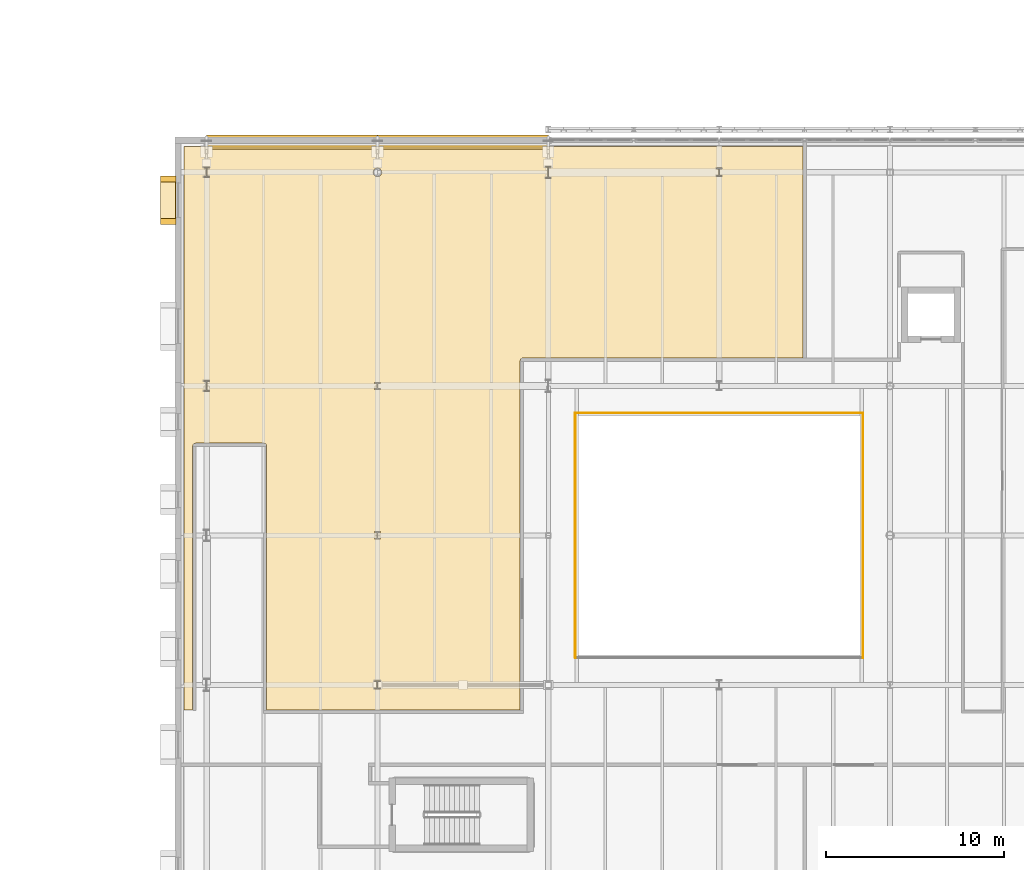
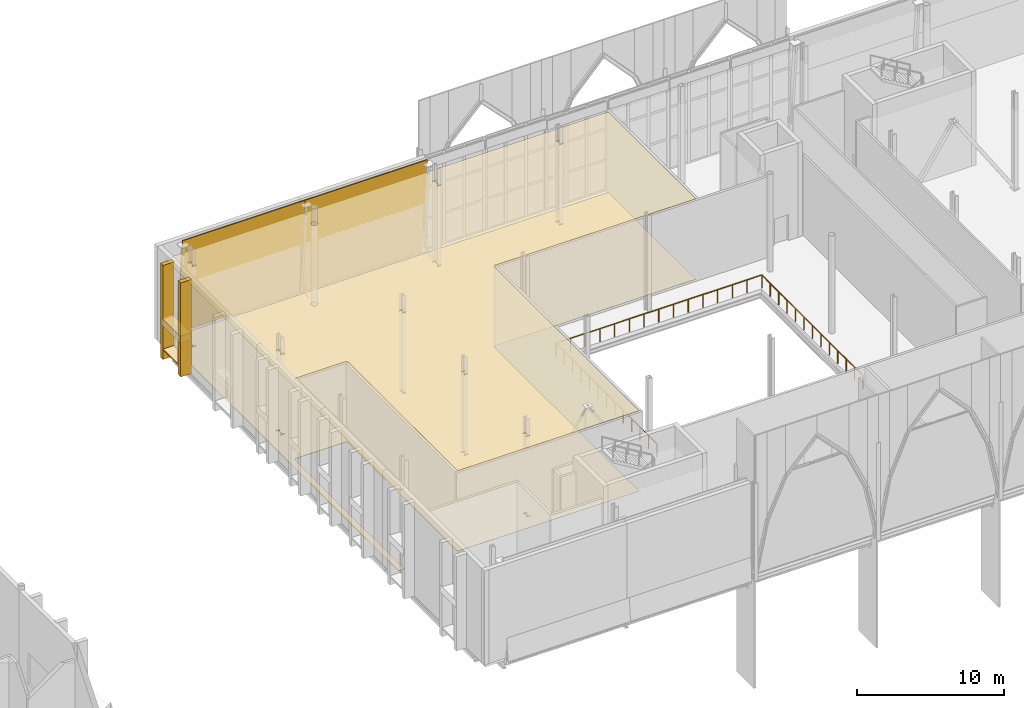
# One storey, part 71 of 79: 8 coverings, 3 railings.
"""IFC4 building model written with IfcOpenShell, lengths in metres."""

from ifc_helpers import new_model, si_unit, direction, frame, origin, origin_2d, place, context, subcontext, project, spatial, polyline, rectangle, circle, outline, extrude, material, layer, layer_set, type_object, element, save


model = new_model("IFC4")

# Units and contexts
model_context = context("Model", 3, precision=1e-05, world=origin(), true_north=direction((0.0, 1.0)))
body_context = subcontext(model_context, "Body", "Model", "MODEL_VIEW")
ifc_project = project(units=[si_unit("LENGTHUNIT", "METRE"), si_unit("AREAUNIT", "SQUARE_METRE"), si_unit("VOLUMEUNIT", "CUBIC_METRE"), si_unit("PLANEANGLEUNIT", "RADIAN"), si_unit("MASSUNIT", "GRAM", prefix="KILO")], contexts=[model_context])

# Site, building, storey
site_placement = place(None, origin())
site = spatial("IfcSite", under=ifc_project, at=site_placement, CompositionType="ELEMENT")
building_placement = place(site_placement, origin())
building = spatial("IfcBuilding", under=site, at=building_placement, Name="Zereglee Splitstone Museum", CompositionType="ELEMENT")
storey_placement = place(building_placement, frame((0.0, 0.0, 9.0)))
storey = spatial("IfcBuildingStorey", under=building, at=storey_placement, Name="L02", CompositionType="ELEMENT", Elevation=9.0)

# Coverings
ifc_material_1 = material(Name="Siberian larch acoustic timber ceiling", Category="wood")
ifc_layer_1 = layer(ifc_material_1, 0.06005859375)
ifc_layer_set_1 = layer_set([ifc_layer_1], Name="Siberian larch acoustic timber ceiling")
covering_type_1 = type_object("IfcCoveringType", Name="CLG-01", PredefinedType="CEILING", material=ifc_layer_set_1)
covering_1_placement = place(storey_placement, frame((0.0, 0.0, 6.639892578125)))
element("IfcCovering", 1, at=covering_1_placement, inside=storey, type_object=covering_type_1, Name="Acoustic Ceiling L02-039", PredefinedType="CEILING", context=body_context, shape_type="SweptSolid", body=[
    extrude(outline(polyline([(81.3798828125, 35.0), (81.3798828125, 35.0009765625), (81.379150390625, 35.0166015625), (81.37890625, 35.0185546875), (81.376708984375, 35.0341796875), (81.376220703125, 35.0361328125), (81.37255859375, 35.05126953125), (81.371826171875, 35.05322265625), (81.36669921875, 35.068115234375), (81.365966796875, 35.06982421875), (81.359130859375, 35.083984375), (81.3583984375, 35.085693359375), (81.35009765625, 35.09912109375), (81.34912109375, 35.100830078125), (81.339599609375, 35.11328125), (81.33837890625, 35.114990234375), (81.327880859375, 35.126708984375), (81.32666015625, 35.1279296875), (81.31494140625, 35.138427734375), (81.3134765625, 35.1396484375), (81.30078125, 35.149169921875), (81.29931640625, 35.150146484375), (81.28564453125, 35.158203125), (81.283935546875, 35.1591796875), (81.269775390625, 35.166015625), (81.26806640625, 35.166748046875), (81.253173828125, 35.171875), (81.251220703125, 35.172607421875), (81.236083984375, 35.17626953125), (81.234130859375, 35.1767578125), (81.218505859375, 35.178955078125), (81.216796875, 35.17919921875), (81.200927734375, 35.179931640625), (81.199951171875, 35.179931640625), (77.39990234375, 35.179931640625), (77.39892578125, 35.179931640625), (77.38330078125, 35.17919921875), (77.38134765625, 35.178955078125), (77.365966796875, 35.1767578125), (77.364013671875, 35.17626953125), (77.3486328125, 35.172607421875), (77.3466796875, 35.171875), (77.33203125, 35.166748046875), (77.330078125, 35.166015625), (77.31591796875, 35.1591796875), (77.314208984375, 35.158203125), (77.30078125, 35.150146484375), (77.29931640625, 35.149169921875), (77.28662109375, 35.1396484375), (77.28515625, 35.138427734375), (77.2734375, 35.1279296875), (77.27197265625, 35.126708984375), (77.261474609375, 35.114990234375), (77.26025390625, 35.11328125), (77.2509765625, 35.100830078125), (77.249755859375, 35.09912109375), (77.24169921875, 35.085693359375), (77.24072265625, 35.083984375), (77.234130859375, 35.06982421875), (77.2333984375, 35.068115234375), (77.22802734375, 35.05322265625), (77.2275390625, 35.05126953125), (77.2236328125, 35.0361328125), (77.223388671875, 35.0341796875), (77.220947265625, 35.0185546875), (77.220703125, 35.0166015625), (77.219970703125, 35.0009765625), (77.219970703125, 35.0), (77.219970703125, 20.179931640625), (76.739990234375, 20.179931640625), (76.739990234375, 51.860107421875), (111.5, 51.860107421875), (111.5, 39.97998046875), (95.800048828125, 39.97998046875), (95.799072265625, 39.97998046875), (95.783203125, 39.979248046875), (95.781494140625, 39.97900390625), (95.765869140625, 39.976806640625), (95.763916015625, 39.976318359375), (95.748779296875, 39.972412109375), (95.746826171875, 39.971923828125), (95.73193359375, 39.966796875), (95.730224609375, 39.9658203125), (95.716064453125, 39.959228515625), (95.71435546875, 39.958251953125), (95.70068359375, 39.9501953125), (95.69921875, 39.94921875), (95.6865234375, 39.939697265625), (95.68505859375, 39.9384765625), (95.67333984375, 39.927978515625), (95.672119140625, 39.926513671875), (95.66162109375, 39.914794921875), (95.660400390625, 39.913330078125), (95.65087890625, 39.90087890625), (95.64990234375, 39.899169921875), (95.6416015625, 39.8857421875), (95.640869140625, 39.884033203125), (95.634033203125, 39.869873046875), (95.63330078125, 39.867919921875), (95.628173828125, 39.853271484375), (95.62744140625, 39.851318359375), (95.623779296875, 39.836181640625), (95.623291015625, 39.833984375), (95.62109375, 39.818603515625), (95.620849609375, 39.816650390625), (95.6201171875, 39.801025390625), (95.6201171875, 39.800048828125), (95.6201171875, 20.199951171875), (95.6201171875, 20.198974609375), (95.620849609375, 20.183349609375), (95.62109375, 20.181396484375), (95.62109375, 20.179931640625), (81.3798828125, 20.179931640625), (81.3798828125, 35.0)]), holes=[polyline([(87.758056640625, 21.8330078125), (87.44189453125, 21.8330078125), (87.44189453125, 21.791015625), (87.5849609375, 21.791015625), (87.5849609375, 21.408935546875), (87.44189453125, 21.408935546875), (87.44189453125, 21.366943359375), (87.758056640625, 21.366943359375), (87.758056640625, 21.408935546875), (87.614990234375, 21.408935546875), (87.614990234375, 21.791015625), (87.758056640625, 21.791015625), (87.758056640625, 21.8330078125)]), polyline([(87.758056640625, 30.2080078125), (87.44189453125, 30.2080078125), (87.44189453125, 30.16796875), (87.585205078125, 30.16796875), (87.585205078125, 29.83203125), (87.44189453125, 29.83203125), (87.44189453125, 29.7919921875), (87.758056640625, 29.7919921875), (87.758056640625, 29.83203125), (87.61474609375, 29.83203125), (87.61474609375, 30.16796875), (87.758056640625, 30.16796875), (87.758056640625, 30.2080078125)]), polyline([(78.157958984375, 38.662109375), (78.157958984375, 38.7080078125), (77.842041015625, 38.7080078125), (77.842041015625, 38.662109375), (77.984375, 38.662109375), (77.984375, 38.137939453125), (77.842041015625, 38.137939453125), (77.842041015625, 38.092041015625), (78.157958984375, 38.092041015625), (78.157958984375, 38.137939453125), (78.015625, 38.137939453125), (78.015625, 38.662109375), (78.157958984375, 38.662109375)]), polyline([(78.157958984375, 50.68310546875), (77.842041015625, 50.68310546875), (77.842041015625, 50.637939453125), (77.984619140625, 50.637939453125), (77.984619140625, 50.162109375), (77.842041015625, 50.162109375), (77.842041015625, 50.116943359375), (78.157958984375, 50.116943359375), (78.157958984375, 50.162109375), (78.015380859375, 50.162109375), (78.015380859375, 50.637939453125), (78.157958984375, 50.637939453125), (78.157958984375, 50.68310546875)]), polyline([(87.758056640625, 38.587890625), (87.44189453125, 38.587890625), (87.44189453125, 38.549560546875), (87.585693359375, 38.549560546875), (87.585693359375, 38.25048828125), (87.44189453125, 38.25048828125), (87.44189453125, 38.2119140625), (87.758056640625, 38.2119140625), (87.758056640625, 38.25048828125), (87.6142578125, 38.25048828125), (87.6142578125, 38.549560546875), (87.758056640625, 38.549560546875), (87.758056640625, 38.587890625)]), polyline([(97.35791015625, 50.73291015625), (97.0419921875, 50.73291015625), (97.0419921875, 50.68603515625), (97.18408203125, 50.68603515625), (97.18408203125, 50.114013671875), (97.0419921875, 50.114013671875), (97.0419921875, 50.06689453125), (97.35791015625, 50.06689453125), (97.35791015625, 50.114013671875), (97.216064453125, 50.114013671875), (97.216064453125, 50.68603515625), (97.35791015625, 50.68603515625), (97.35791015625, 50.73291015625)]), polyline([(106.9580078125, 50.633056640625), (106.64208984375, 50.633056640625), (106.64208984375, 50.591064453125), (106.784912109375, 50.591064453125), (106.784912109375, 50.208984375), (106.64208984375, 50.208984375), (106.64208984375, 50.1669921875), (106.9580078125, 50.1669921875), (106.9580078125, 50.208984375), (106.81494140625, 50.208984375), (106.81494140625, 50.591064453125), (106.9580078125, 50.591064453125), (106.9580078125, 50.633056640625)]), polyline([(87.6904296875, 50.181396484375), (87.7314453125, 50.203369140625), (87.76708984375, 50.23291015625), (87.796630859375, 50.2685546875), (87.818603515625, 50.3095703125), (87.83203125, 50.35400390625), (87.83642578125, 50.39990234375), (87.83203125, 50.446044921875), (87.818603515625, 50.490478515625), (87.796630859375, 50.531494140625), (87.76708984375, 50.567138671875), (87.7314453125, 50.5966796875), (87.6904296875, 50.618408203125), (87.64599609375, 50.632080078125), (87.60009765625, 50.636474609375), (87.553955078125, 50.632080078125), (87.509521484375, 50.618408203125), (87.468505859375, 50.5966796875), (87.432861328125, 50.567138671875), (87.4033203125, 50.531494140625), (87.381591796875, 50.490478515625), (87.367919921875, 50.446044921875), (87.363525390625, 50.39990234375), (87.367919921875, 50.35400390625), (87.381591796875, 50.3095703125), (87.4033203125, 50.2685546875), (87.432861328125, 50.23291015625), (87.468505859375, 50.203369140625), (87.509521484375, 50.181396484375), (87.553955078125, 50.16796875), (87.60009765625, 50.16357421875), (87.64599609375, 50.16796875), (87.6904296875, 50.181396484375)])]), origin(), (0.0, 0.0, 1.0), 0.06005859375),
])
ifc_material_2 = material(Name="Honed Gobi pale limestone stringcourse and soffit cladding", Category="masonry")
ifc_layer_2 = layer(ifc_material_2, 0.070068359375)
ifc_layer_set_2 = layer_set([ifc_layer_2], Name="Honed Gobi pale limestone stringcourse and soffit cladding")
covering_type_2 = type_object("IfcCoveringType", Name="CL-02", PredefinedType="CLADDING", material=ifc_layer_set_2)
for number, where, z_axis, x_axis, name in (
    (2, (75.85498046875, 50.034912109375, 0.0), (0.0, 0.0, 1.0), (0.0, -1.0, 0.0), "Mughal Window Reveal Stone Pilaster L02-0093L"),
    (3, (75.85498046875, 47.64501953125, 0.0), (0.0, 0.0, 1.0), (0.0, -1.0, 0.0), "Mughal Window Reveal Stone Pilaster L02-0093R"),
):
    element("IfcCovering", number, at=place(storey_placement, frame(where, z_axis=z_axis, x_axis=x_axis)), inside=storey, type_object=covering_type_2, Name=name, PredefinedType="CLADDING", context=body_context, shape_type="SweptSolid", body=[
        extrude(rectangle(XDim=0.340087890625, YDim=0.860107421875, at=origin_2d()), origin(), (0.0, 0.0, 1.0), 7.800048828125),
    ])
covering_2_placement = place(storey_placement, frame((75.844970703125, 48.840087890625, 0.760009765625), z_axis=(0.0, 0.0, 1.0), x_axis=(0.0, -1.0, 0.0)))
element("IfcCovering", 4, at=covering_2_placement, inside=storey, type_object=covering_type_2, Name="Carved Limestone Window Sill L02-0093", PredefinedType="CLADDING", context=body_context, shape_type="SweptSolid", body=[
    extrude(rectangle(XDim=2.590087890625, YDim=0.840087890625, at=origin_2d()), origin(), (0.0, 0.0, 1.0), 0.1201171875),
])
ifc_material_3 = material(Name="Honed Khoroo red sandstone ventilated rainscreen", Category="masonry")
ifc_layer_3 = layer(ifc_material_3, 0.080078125)
ifc_layer_set_3 = layer_set([ifc_layer_3], Name="Honed Khoroo red sandstone ventilated rainscreen")
covering_type_3 = type_object("IfcCoveringType", Name="CL-01", PredefinedType="CLADDING", material=ifc_layer_set_3)
covering_3_placement = place(storey_placement, frame((75.844970703125, 48.840087890625, 2.760009765625), z_axis=(0.0, 0.0, 1.0), x_axis=(0.0, -1.0, 0.0)))
element("IfcCovering", 5, at=covering_3_placement, inside=storey, type_object=covering_type_3, Name="Pointed-Arch Mughal Window Hood L02-0093", PredefinedType="CLADDING", context=body_context, shape_type="SweptSolid", body=[
    extrude(rectangle(XDim=2.590087890625, YDim=0.860107421875, at=origin_2d()), origin(), (0.0, 0.0, 1.0), 0.580078125),
])
covering_4_placement = place(storey_placement, frame((78.0, 51.75634765625, 7.85009765625), z_axis=(0.0, 0.99585844317, 0.090917331496), x_axis=(1.0, 0.0, 0.0)))
element("IfcCovering", 6, at=covering_4_placement, inside=storey, type_object=covering_type_3, Name="Split-Rock Continuous Inclined Facet FH-V2NW L02.1", PredefinedType="CLADDING", context=body_context, shape_type="SweptSolid", body=[
    extrude(outline(polyline([(0.0, 0.0), (9.60009765625, 0.0), (9.60009765625, 8.13378418569502), (0.0, 8.13378418569502), (0.0, 0.0)])), origin(), (0.0, 0.0, -1.0), 0.080078125),
])
covering_5_placement = place(storey_placement, frame((87.60009765625, 51.75634765625, 7.85009765625), z_axis=(0.0, 0.99585844317, 0.090917331496), x_axis=(1.0, 0.0, 0.0)))
element("IfcCovering", 7, at=covering_5_placement, inside=storey, type_object=covering_type_3, Name="Split-Rock Continuous Inclined Facet FH-V2NW L02.2", PredefinedType="CLADDING", context=body_context, shape_type="SweptSolid", body=[
    extrude(outline(polyline([(0.0, 0.0), (9.599853515625, 0.0), (9.599853515625, 8.133784185695022), (0.0, 8.133784185695022), (0.0, 0.0)])), origin(), (0.0, 0.0, -1.0), 0.080078125),
])
ifc_material_4 = material(Name="Honed Gobi granite terrazzo flooring", Category="masonry")
ifc_layer_4 = layer(ifc_material_4, 0.030029296875)
ifc_layer_set_4 = layer_set([ifc_layer_4], Name="Honed Gobi granite terrazzo flooring")
covering_type_4 = type_object("IfcCoveringType", Name="FLR-01", PredefinedType="FLOORING", material=ifc_layer_set_4)
covering_6_placement = place(storey_placement, origin())
element("IfcCovering", 8, at=covering_6_placement, inside=storey, type_object=covering_type_4, Name="Terrazzo Gallery Flooring L02-026", PredefinedType="FLOORING", context=body_context, shape_type="SweptSolid", body=[
    extrude(outline(polyline([(81.3798828125, 35.0), (81.3798828125, 35.0009765625), (81.379150390625, 35.0166015625), (81.37890625, 35.0185546875), (81.376708984375, 35.0341796875), (81.376220703125, 35.0361328125), (81.37255859375, 35.05126953125), (81.371826171875, 35.05322265625), (81.36669921875, 35.068115234375), (81.365966796875, 35.06982421875), (81.359130859375, 35.083984375), (81.3583984375, 35.085693359375), (81.35009765625, 35.09912109375), (81.34912109375, 35.100830078125), (81.339599609375, 35.11328125), (81.33837890625, 35.114990234375), (81.327880859375, 35.126708984375), (81.32666015625, 35.1279296875), (81.31494140625, 35.138427734375), (81.3134765625, 35.1396484375), (81.30078125, 35.149169921875), (81.29931640625, 35.150146484375), (81.28564453125, 35.158203125), (81.283935546875, 35.1591796875), (81.269775390625, 35.166015625), (81.26806640625, 35.166748046875), (81.253173828125, 35.171875), (81.251220703125, 35.172607421875), (81.236083984375, 35.17626953125), (81.234130859375, 35.1767578125), (81.218505859375, 35.178955078125), (81.216796875, 35.17919921875), (81.200927734375, 35.179931640625), (81.199951171875, 35.179931640625), (77.39990234375, 35.179931640625), (77.39892578125, 35.179931640625), (77.38330078125, 35.17919921875), (77.38134765625, 35.178955078125), (77.365966796875, 35.1767578125), (77.364013671875, 35.17626953125), (77.3486328125, 35.172607421875), (77.3466796875, 35.171875), (77.33203125, 35.166748046875), (77.330078125, 35.166015625), (77.31591796875, 35.1591796875), (77.314208984375, 35.158203125), (77.30078125, 35.150146484375), (77.29931640625, 35.149169921875), (77.28662109375, 35.1396484375), (77.28515625, 35.138427734375), (77.2734375, 35.1279296875), (77.27197265625, 35.126708984375), (77.261474609375, 35.114990234375), (77.26025390625, 35.11328125), (77.2509765625, 35.100830078125), (77.249755859375, 35.09912109375), (77.24169921875, 35.085693359375), (77.24072265625, 35.083984375), (77.234130859375, 35.06982421875), (77.2333984375, 35.068115234375), (77.22802734375, 35.05322265625), (77.2275390625, 35.05126953125), (77.2236328125, 35.0361328125), (77.223388671875, 35.0341796875), (77.220947265625, 35.0185546875), (77.220703125, 35.0166015625), (77.219970703125, 35.0009765625), (77.219970703125, 35.0), (77.219970703125, 20.179931640625), (76.739990234375, 20.179931640625), (76.739990234375, 51.860107421875), (111.5, 51.860107421875), (111.5, 39.97998046875), (95.800048828125, 39.97998046875), (95.799072265625, 39.97998046875), (95.783203125, 39.979248046875), (95.781494140625, 39.97900390625), (95.765869140625, 39.976806640625), (95.763916015625, 39.976318359375), (95.748779296875, 39.972412109375), (95.746826171875, 39.971923828125), (95.73193359375, 39.966796875), (95.730224609375, 39.9658203125), (95.716064453125, 39.959228515625), (95.71435546875, 39.958251953125), (95.70068359375, 39.9501953125), (95.69921875, 39.94921875), (95.6865234375, 39.939697265625), (95.68505859375, 39.9384765625), (95.67333984375, 39.927978515625), (95.672119140625, 39.926513671875), (95.66162109375, 39.914794921875), (95.660400390625, 39.913330078125), (95.65087890625, 39.90087890625), (95.64990234375, 39.899169921875), (95.6416015625, 39.8857421875), (95.640869140625, 39.884033203125), (95.634033203125, 39.869873046875), (95.63330078125, 39.867919921875), (95.628173828125, 39.853271484375), (95.62744140625, 39.851318359375), (95.623779296875, 39.836181640625), (95.623291015625, 39.833984375), (95.62109375, 39.818603515625), (95.620849609375, 39.816650390625), (95.6201171875, 39.801025390625), (95.6201171875, 39.800048828125), (95.6201171875, 20.199951171875), (95.6201171875, 20.198974609375), (95.620849609375, 20.183349609375), (95.62109375, 20.181396484375), (95.62109375, 20.179931640625), (81.3798828125, 20.179931640625), (81.3798828125, 35.0)]), holes=[polyline([(87.758056640625, 21.8330078125), (87.44189453125, 21.8330078125), (87.44189453125, 21.791015625), (87.5849609375, 21.791015625), (87.5849609375, 21.408935546875), (87.44189453125, 21.408935546875), (87.44189453125, 21.366943359375), (87.758056640625, 21.366943359375), (87.758056640625, 21.408935546875), (87.614990234375, 21.408935546875), (87.614990234375, 21.791015625), (87.758056640625, 21.791015625), (87.758056640625, 21.8330078125)]), polyline([(87.758056640625, 30.2080078125), (87.44189453125, 30.2080078125), (87.44189453125, 30.16796875), (87.585205078125, 30.16796875), (87.585205078125, 29.83203125), (87.44189453125, 29.83203125), (87.44189453125, 29.7919921875), (87.758056640625, 29.7919921875), (87.758056640625, 29.83203125), (87.61474609375, 29.83203125), (87.61474609375, 30.16796875), (87.758056640625, 30.16796875), (87.758056640625, 30.2080078125)]), polyline([(78.157958984375, 38.662109375), (78.157958984375, 38.7080078125), (77.842041015625, 38.7080078125), (77.842041015625, 38.662109375), (77.984375, 38.662109375), (77.984375, 38.137939453125), (77.842041015625, 38.137939453125), (77.842041015625, 38.092041015625), (78.157958984375, 38.092041015625), (78.157958984375, 38.137939453125), (78.015625, 38.137939453125), (78.015625, 38.662109375), (78.157958984375, 38.662109375)]), polyline([(78.157958984375, 50.68310546875), (77.842041015625, 50.68310546875), (77.842041015625, 50.637939453125), (77.984619140625, 50.637939453125), (77.984619140625, 50.162109375), (77.842041015625, 50.162109375), (77.842041015625, 50.116943359375), (78.157958984375, 50.116943359375), (78.157958984375, 50.162109375), (78.015380859375, 50.162109375), (78.015380859375, 50.637939453125), (78.157958984375, 50.637939453125), (78.157958984375, 50.68310546875)]), polyline([(87.758056640625, 38.587890625), (87.44189453125, 38.587890625), (87.44189453125, 38.549560546875), (87.585693359375, 38.549560546875), (87.585693359375, 38.25048828125), (87.44189453125, 38.25048828125), (87.44189453125, 38.2119140625), (87.758056640625, 38.2119140625), (87.758056640625, 38.25048828125), (87.6142578125, 38.25048828125), (87.6142578125, 38.549560546875), (87.758056640625, 38.549560546875), (87.758056640625, 38.587890625)]), polyline([(97.35791015625, 50.73291015625), (97.0419921875, 50.73291015625), (97.0419921875, 50.68603515625), (97.18408203125, 50.68603515625), (97.18408203125, 50.114013671875), (97.0419921875, 50.114013671875), (97.0419921875, 50.06689453125), (97.35791015625, 50.06689453125), (97.35791015625, 50.114013671875), (97.216064453125, 50.114013671875), (97.216064453125, 50.68603515625), (97.35791015625, 50.68603515625), (97.35791015625, 50.73291015625)]), polyline([(106.9580078125, 50.633056640625), (106.64208984375, 50.633056640625), (106.64208984375, 50.591064453125), (106.784912109375, 50.591064453125), (106.784912109375, 50.208984375), (106.64208984375, 50.208984375), (106.64208984375, 50.1669921875), (106.9580078125, 50.1669921875), (106.9580078125, 50.208984375), (106.81494140625, 50.208984375), (106.81494140625, 50.591064453125), (106.9580078125, 50.591064453125), (106.9580078125, 50.633056640625)]), polyline([(87.6904296875, 50.181396484375), (87.7314453125, 50.203369140625), (87.76708984375, 50.23291015625), (87.796630859375, 50.2685546875), (87.818603515625, 50.3095703125), (87.83203125, 50.35400390625), (87.83642578125, 50.39990234375), (87.83203125, 50.446044921875), (87.818603515625, 50.490478515625), (87.796630859375, 50.531494140625), (87.76708984375, 50.567138671875), (87.7314453125, 50.5966796875), (87.6904296875, 50.618408203125), (87.64599609375, 50.632080078125), (87.60009765625, 50.636474609375), (87.553955078125, 50.632080078125), (87.509521484375, 50.618408203125), (87.468505859375, 50.5966796875), (87.432861328125, 50.567138671875), (87.4033203125, 50.531494140625), (87.381591796875, 50.490478515625), (87.367919921875, 50.446044921875), (87.363525390625, 50.39990234375), (87.367919921875, 50.35400390625), (87.381591796875, 50.3095703125), (87.4033203125, 50.2685546875), (87.432861328125, 50.23291015625), (87.468505859375, 50.203369140625), (87.509521484375, 50.181396484375), (87.553955078125, 50.16796875), (87.60009765625, 50.16357421875), (87.64599609375, 50.16796875), (87.6904296875, 50.181396484375)])]), origin(), (0.0, 0.0, 1.0), 0.030029296875),
])

# Railings
ifc_material_5 = material(Name="Glazed laminated glass and bronze balustrade", Category="glass")
railing_type = type_object("IfcRailingType", Name="GR-02", PredefinedType="BALUSTRADE", material=ifc_material_5)
railing_1_placement = place(storey_placement, frame((114.8798828125, 23.1201171875, 0.0)))
element("IfcRailing", 9, at=railing_1_placement, inside=storey, type_object=railing_type, Name="Atrium Glazed Balustrade L02 Side 2", PredefinedType="BALUSTRADE", context=body_context, shape_type="SweptSolid", body=[
    extrude(circle(Radius=0.02392578125, at=origin_2d()), frame((0.0, 0.0, 1.076416015625), z_axis=(0.0, 1.0, 0.0), x_axis=(-1.0, 0.0, 0.0)), (0.0, 0.0, 1.0), 13.759765625),
    extrude(circle(Radius=0.02099609375, at=origin_2d()), origin(), (0.0, 0.0, 1.0), 1.052001953125),
    extrude(circle(Radius=0.02099609375, at=origin_2d()), frame((0.0, 1.146728515625, 0.0)), (0.0, 0.0, 1.0), 1.052001953125),
    extrude(circle(Radius=0.02099609375, at=origin_2d()), frame((0.0, 2.293212890625, 0.0)), (0.0, 0.0, 1.0), 1.052001953125),
    extrude(circle(Radius=0.02099609375, at=origin_2d()), frame((0.0, 3.43994140625, 0.0)), (0.0, 0.0, 1.0), 1.052001953125),
    extrude(circle(Radius=0.02099609375, at=origin_2d()), frame((0.0, 4.586669921875, 0.0)), (0.0, 0.0, 1.0), 1.052001953125),
    extrude(circle(Radius=0.02099609375, at=origin_2d()), frame((0.0, 5.733154296875, 0.0)), (0.0, 0.0, 1.0), 1.052001953125),
    extrude(circle(Radius=0.02099609375, at=origin_2d()), frame((0.0, 6.8798828125, 0.0)), (0.0, 0.0, 1.0), 1.052001953125),
    extrude(circle(Radius=0.02099609375, at=origin_2d()), frame((0.0, 8.026611328125, 0.0)), (0.0, 0.0, 1.0), 1.052001953125),
    extrude(circle(Radius=0.02099609375, at=origin_2d()), frame((0.0, 9.173095703125, 0.0)), (0.0, 0.0, 1.0), 1.052001953125),
    extrude(circle(Radius=0.02099609375, at=origin_2d()), frame((0.0, 10.31982421875, 0.0)), (0.0, 0.0, 1.0), 1.052001953125),
    extrude(circle(Radius=0.02099609375, at=origin_2d()), frame((0.0, 11.466552734375, 0.0)), (0.0, 0.0, 1.0), 1.052001953125),
    extrude(circle(Radius=0.02099609375, at=origin_2d()), frame((0.0, 12.613037109375, 0.0)), (0.0, 0.0, 1.0), 1.052001953125),
    extrude(circle(Radius=0.02099609375, at=origin_2d()), frame((0.0, 13.759765625, 0.0)), (0.0, 0.0, 1.0), 1.052001953125),
])
railing_2_placement = place(storey_placement, frame((114.8798828125, 36.8798828125, 0.0)))
element("IfcRailing", 10, at=railing_2_placement, inside=storey, type_object=railing_type, Name="Atrium Glazed Balustrade L02 Side 3", PredefinedType="BALUSTRADE", context=body_context, shape_type="SweptSolid", body=[
    extrude(circle(Radius=0.02392578125, at=origin_2d()), frame((0.0, 0.0, 1.076416015625), z_axis=(-1.0, 0.0, 0.0), x_axis=(0.0, -1.0, 0.0)), (0.0, 0.0, 1.0), 16.159912109375),
    extrude(circle(Radius=0.02099609375, at=origin_2d()), origin(), (0.0, 0.0, 1.0), 1.052001953125),
    extrude(circle(Radius=0.02099609375, at=origin_2d()), frame((-1.154296875, 0.0, 0.0)), (0.0, 0.0, 1.0), 1.052001953125),
    extrude(circle(Radius=0.02099609375, at=origin_2d()), frame((-2.30859375, 0.0, 0.0)), (0.0, 0.0, 1.0), 1.052001953125),
    extrude(circle(Radius=0.02099609375, at=origin_2d()), frame((-3.462890625, 0.0, 0.0)), (0.0, 0.0, 1.0), 1.052001953125),
    extrude(circle(Radius=0.02099609375, at=origin_2d()), frame((-4.6171875, 0.0, 0.0)), (0.0, 0.0, 1.0), 1.052001953125),
    extrude(circle(Radius=0.02099609375, at=origin_2d()), frame((-5.771484375, 0.0, 0.0)), (0.0, 0.0, 1.0), 1.052001953125),
    extrude(circle(Radius=0.02099609375, at=origin_2d()), frame((-6.92578125, 0.0, 0.0)), (0.0, 0.0, 1.0), 1.052001953125),
    extrude(circle(Radius=0.02099609375, at=origin_2d()), frame((-8.080078125, 0.0, 0.0)), (0.0, 0.0, 1.0), 1.052001953125),
    extrude(circle(Radius=0.02099609375, at=origin_2d()), frame((-9.234130859375, 0.0, 0.0)), (0.0, 0.0, 1.0), 1.052001953125),
    extrude(circle(Radius=0.02099609375, at=origin_2d()), frame((-10.388427734375, 0.0, 0.0)), (0.0, 0.0, 1.0), 1.052001953125),
    extrude(circle(Radius=0.02099609375, at=origin_2d()), frame((-11.542724609375, 0.0, 0.0)), (0.0, 0.0, 1.0), 1.052001953125),
    extrude(circle(Radius=0.02099609375, at=origin_2d()), frame((-12.697021484375, 0.0, 0.0)), (0.0, 0.0, 1.0), 1.052001953125),
    extrude(circle(Radius=0.02099609375, at=origin_2d()), frame((-13.851318359375, 0.0, 0.0)), (0.0, 0.0, 1.0), 1.052001953125),
    extrude(circle(Radius=0.02099609375, at=origin_2d()), frame((-15.005615234375, 0.0, 0.0)), (0.0, 0.0, 1.0), 1.052001953125),
    extrude(circle(Radius=0.02099609375, at=origin_2d()), frame((-16.159912109375, 0.0, 0.0)), (0.0, 0.0, 1.0), 1.052001953125),
])
railing_3_placement = place(storey_placement, frame((98.719970703125, 36.8798828125, 0.0)))
element("IfcRailing", 11, at=railing_3_placement, inside=storey, type_object=railing_type, Name="Atrium Glazed Balustrade L02 Side 4", PredefinedType="BALUSTRADE", context=body_context, shape_type="SweptSolid", body=[
    extrude(circle(Radius=0.02392578125, at=origin_2d()), frame((0.0, 0.0, 1.076416015625), z_axis=(0.0, -1.0, 0.0), x_axis=(1.0, 0.0, 0.0)), (0.0, 0.0, 1.0), 13.759765625),
    extrude(circle(Radius=0.02099609375, at=origin_2d()), origin(), (0.0, 0.0, 1.0), 1.052001953125),
    extrude(circle(Radius=0.02099609375, at=origin_2d()), frame((0.0, -1.146728515625, 0.0)), (0.0, 0.0, 1.0), 1.052001953125),
    extrude(circle(Radius=0.02099609375, at=origin_2d()), frame((0.0, -2.293212890625, 0.0)), (0.0, 0.0, 1.0), 1.052001953125),
    extrude(circle(Radius=0.02099609375, at=origin_2d()), frame((0.0, -3.43994140625, 0.0)), (0.0, 0.0, 1.0), 1.052001953125),
    extrude(circle(Radius=0.02099609375, at=origin_2d()), frame((0.0, -4.586669921875, 0.0)), (0.0, 0.0, 1.0), 1.052001953125),
    extrude(circle(Radius=0.02099609375, at=origin_2d()), frame((0.0, -5.733154296875, 0.0)), (0.0, 0.0, 1.0), 1.052001953125),
    extrude(circle(Radius=0.02099609375, at=origin_2d()), frame((0.0, -6.8798828125, 0.0)), (0.0, 0.0, 1.0), 1.052001953125),
    extrude(circle(Radius=0.02099609375, at=origin_2d()), frame((0.0, -8.026611328125, 0.0)), (0.0, 0.0, 1.0), 1.052001953125),
    extrude(circle(Radius=0.02099609375, at=origin_2d()), frame((0.0, -9.173095703125, 0.0)), (0.0, 0.0, 1.0), 1.052001953125),
    extrude(circle(Radius=0.02099609375, at=origin_2d()), frame((0.0, -10.31982421875, 0.0)), (0.0, 0.0, 1.0), 1.052001953125),
    extrude(circle(Radius=0.02099609375, at=origin_2d()), frame((0.0, -11.466552734375, 0.0)), (0.0, 0.0, 1.0), 1.052001953125),
    extrude(circle(Radius=0.02099609375, at=origin_2d()), frame((0.0, -12.613037109375, 0.0)), (0.0, 0.0, 1.0), 1.052001953125),
    extrude(circle(Radius=0.02099609375, at=origin_2d()), frame((0.0, -13.759765625, 0.0)), (0.0, 0.0, 1.0), 1.052001953125),
])

save(model, "model.ifc")
